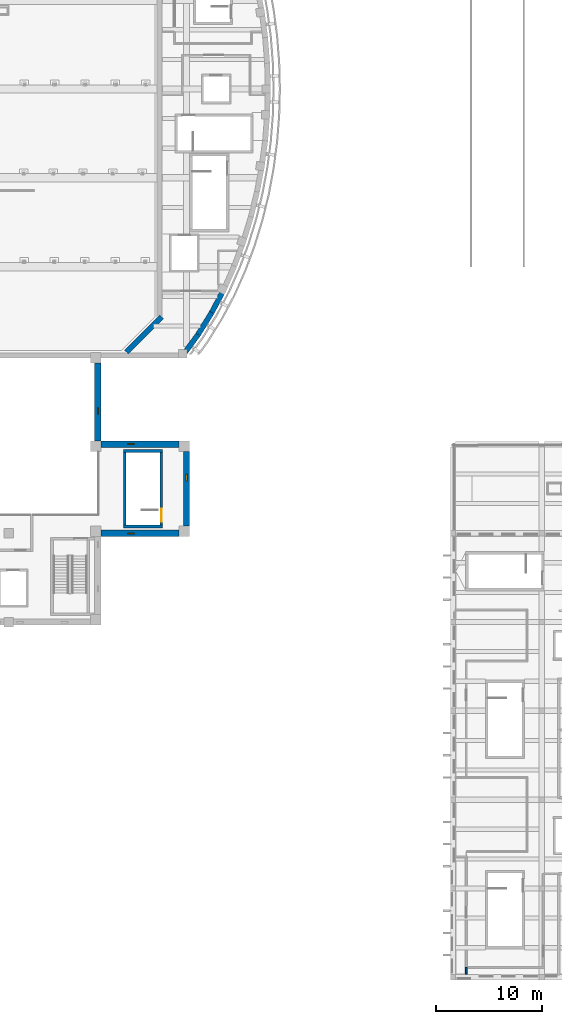
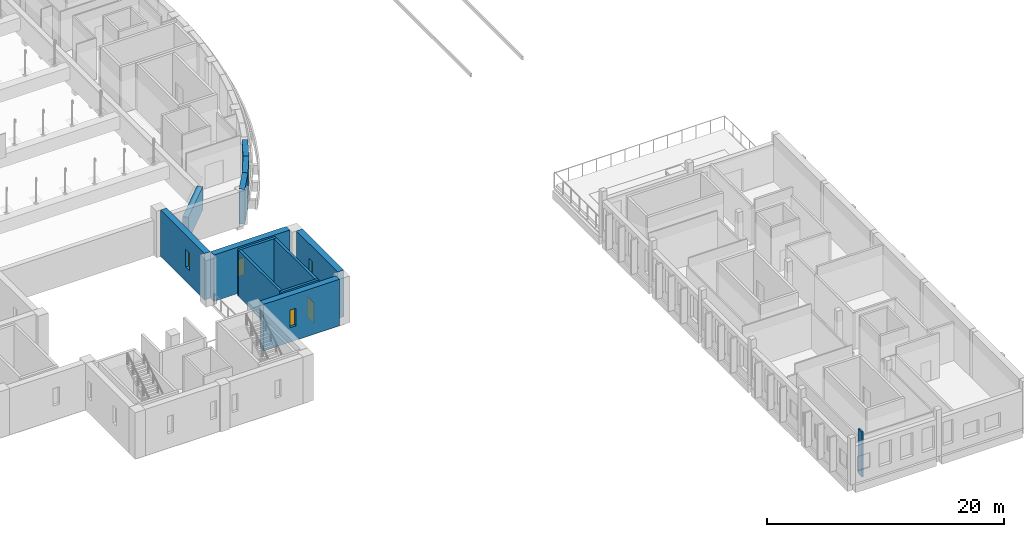
# One storey, part 25 of 47: 13 walls, 4 windows, 1 door, 5 openings.
"""IFC4 building model written with IfcOpenShell, lengths in metres."""

from ifc_helpers import new_model, si_unit, direction, frame, frame_2d, origin, place, context, subcontext, project, spatial, rectangle, extrude, material, layer, layer_set, type_object, element, fill, save


model = new_model("IFC4")

# Units and contexts
model_context = context("Model", 3, precision=1e-05, world=origin(), true_north=direction((0.0, 1.0)))
body_context = subcontext(model_context, "Body", "Model", "MODEL_VIEW")
ifc_project = project(units=[si_unit("LENGTHUNIT", "METRE"), si_unit("AREAUNIT", "SQUARE_METRE"), si_unit("VOLUMEUNIT", "CUBIC_METRE"), si_unit("PLANEANGLEUNIT", "RADIAN"), si_unit("MASSUNIT", "GRAM", prefix="KILO")], contexts=[model_context])

# Site, building, storey
site_placement = place(None, origin())
site = spatial("IfcSite", under=ifc_project, at=site_placement, CompositionType="ELEMENT")
building_placement = place(site_placement, origin())
building = spatial("IfcBuilding", under=site, at=building_placement, Name="Larchfold Concert Hall", CompositionType="ELEMENT")
storey_placement = place(building_placement, frame((0.0, 0.0, 24.0)))
storey = spatial("IfcBuildingStorey", under=building, at=storey_placement, Name="L05", CompositionType="ELEMENT", Elevation=24.0)

# Walls
ifc_material_1 = material(Name="Plasterboard partition on steel studs", Category="steel")
ifc_layer_1 = layer(ifc_material_1, 0.14990234375)
ifc_layer_set_1 = layer_set([ifc_layer_1], Name="Plasterboard partition on steel studs")
wall_type_1 = type_object("IfcWallType", Name="Shaft and plant partition 150 EI 120", PredefinedType="PARTITIONING", material=ifc_layer_set_1)
wall_1_placement = place(storey_placement, frame((85.85009765625, 1.541015625, 0.0), z_axis=(0.0, 0.0, 1.0), x_axis=(0.0, -1.0, 0.0)))
element("IfcWall", 1, at=wall_1_placement, inside=storey, type_object=wall_type_1, Name="Partition IW0043", PredefinedType="PARTITIONING", context=body_context, shape_type="SweptSolid", body=[
    extrude(rectangle(XDim=0.64111328125, YDim=0.14990234375, at=frame_2d((0.320556640625, 0.0))), origin(), (0.0, 0.0, 1.0), 4.639892578125),
])
ifc_material_2 = material(Name="Concrete C40/50", Category="concrete")
ifc_layer_2 = layer(ifc_material_2, 0.25)
ifc_layer_set_2 = layer_set([ifc_layer_2], Name="Concrete C40/50")
wall_type_2 = type_object("IfcWallType", Name="Wall RC 250 stair core", PredefinedType="SOLIDWALL", material=ifc_layer_set_2)
for number, where, z_axis, x_axis, name in (
    (2, (53.449951171875, 43.22509765625, 0.0), (0.0, 0.0, 1.0), (1.0, 0.0, 0.0), "Wall W0061"),
    (3, (53.449951171875, 50.375, 0.0), (0.0, 0.0, 1.0), (1.0, 0.0, 0.0), "Wall W0062"),
):
    element("IfcWall", number, at=place(storey_placement, frame(where, z_axis=z_axis, x_axis=x_axis)), inside=storey, type_object=wall_type_2, Name=name, PredefinedType="SOLIDWALL", context=body_context, shape_type="SweptSolid", body=[
        extrude(rectangle(XDim=3.699951171875, YDim=0.25, at=frame_2d((1.85009765625, 0.0))), origin(), (0.0, 0.0, 1.0), 4.800048828125),
    ])
wall_2_placement = place(storey_placement, frame((53.574951171875, 43.35009765625, 0.0), z_axis=(0.0, 0.0, 1.0), x_axis=(0.0, 1.0, 0.0)))
element("IfcWall", 4, at=wall_2_placement, inside=storey, type_object=wall_type_2, Name="Wall W0063", PredefinedType="SOLIDWALL", context=body_context, shape_type="SweptSolid", body=[
    extrude(rectangle(XDim=6.89990234375, YDim=0.25, at=frame_2d((3.449951171875, 0.0))), origin(), (0.0, 0.0, 1.0), 4.800048828125),
])

# Wall, opening, door
wall_3_placement = place(storey_placement, frame((57.02490234375, 43.35009765625, 0.0), z_axis=(0.0, 0.0, 1.0), x_axis=(0.0, 1.0, 0.0)))
wall_3 = element("IfcWall", 5, at=wall_3_placement, inside=storey, type_object=wall_type_2, Name="Wall W0064", PredefinedType="SOLIDWALL", context=body_context, shape_type="SweptSolid", body=[
    extrude(rectangle(XDim=6.89990234375, YDim=0.25, at=frame_2d((3.449951171875, 0.0))), origin(), (0.0, 0.0, 1.0), 4.800048828125),
])
opening_1_placement = place(wall_3_placement, frame((0.35009765625, 0.0, 0.0)))
opening_1 = element("IfcOpeningElement", 6, at=opening_1_placement, cuts=wall_3, Name="Opening D-L05-126", PredefinedType="OPENING", context=body_context, shape_type="SweptSolid", body=[
    extrude(rectangle(XDim=1.199951171875, YDim=2.10009765625, at=frame_2d((0.60009765625, 1.050048828125))), frame((0.0, 0.135009765625, 0.0), z_axis=(0.0, -1.0, 0.0), x_axis=(1.0, 0.0, 0.0)), (0.0, 0.0, 1.0), 0.27001953125),
])
ifc_material_3 = material(Name="Timber door leaf", Category="wood")
door_type = type_object("IfcDoorType", Name="Stair enclosure door pair 1200 x 2100 FD60", OperationType="SINGLE_SWING_LEFT", PredefinedType="DOOR", material=ifc_material_3)
door_placement = place(opening_1_placement, origin())
door = element("IfcDoor", 7, at=door_placement, inside=storey, type_object=door_type, Name="Door D-L05-126", OperationType="DOUBLE_DOOR_SINGLE_SWING", OverallHeight=2.10009765625, OverallWidth=1.199951171875, PredefinedType="DOOR", context=body_context, shape_type="SweptSolid", body=[
    extrude(rectangle(XDim=1.199951171875, YDim=2.10009765625, at=frame_2d((0.60009765625, 1.050048828125))), frame((0.0, 0.02490234375, 0.0), z_axis=(0.0, -1.0, 0.0), x_axis=(1.0, 0.0, 0.0)), (0.0, 0.0, 1.0), 0.050048828125),
])
fill(opening_1, door)

# Walls
ifc_material_4 = material(Name="Concrete C30/37", Category="concrete")
ifc_layer_3 = layer(ifc_material_4, 0.5)
ifc_layer_set_3 = layer_set([ifc_layer_3], Name="Concrete C30/37")
wall_type_3 = type_object("IfcWallType", Name="Wall RC 500 drum facade", PredefinedType="SOLIDWALL", material=ifc_layer_set_3)
wall_4_placement = place(storey_placement, frame((59.047119140625, 59.39990234375, 0.0), z_axis=(0.0, 0.0, 1.0), x_axis=(0.590771306399, 0.806839056774, 0.0)))
element("IfcWall", 8, at=wall_4_placement, inside=storey, type_object=wall_type_3, Name="Wall DW051", PredefinedType="SOLIDWALL", context=body_context, shape_type="SweptSolid", body=[
    extrude(rectangle(XDim=2.448486328125, YDim=0.5, at=frame_2d((1.22412109375, 0.0))), origin(), (0.0, 0.0, 1.0), 3.60009765625),
])
wall_5_placement = place(storey_placement, frame((60.49365234375, 61.37548828125, 0.0), z_axis=(0.0, 0.0, 1.0), x_axis=(0.527702820527, 0.849429063082, 0.0)))
element("IfcWall", 9, at=wall_5_placement, inside=storey, type_object=wall_type_3, Name="Wall DW052", PredefinedType="SOLIDWALL", context=body_context, shape_type="SweptSolid", body=[
    extrude(rectangle(XDim=2.44873046875, YDim=0.5, at=frame_2d((1.224365234375, 0.0))), origin(), (0.0, 0.0, 1.0), 3.60009765625),
])
wall_6_placement = place(storey_placement, frame((61.785888671875, 63.45556640625, 0.0), z_axis=(0.0, 0.0, 1.0), x_axis=(0.466448872517, 0.884548161112, 0.0)))
element("IfcWall", 10, at=wall_6_placement, inside=storey, type_object=wall_type_3, Name="Wall DW053", PredefinedType="SOLIDWALL", context=body_context, shape_type="SweptSolid", body=[
    extrude(rectangle(XDim=2.448974609375, YDim=0.5, at=frame_2d((1.224609375, 0.0))), origin(), (0.0, 0.0, 1.0), 3.60009765625),
])
ifc_material_5 = material(Name="Concrete C40/50", Category="concrete")
ifc_layer_4 = layer(ifc_material_5, 0.5)
ifc_layer_set_4 = layer_set([ifc_layer_4], Name="Concrete C40/50")
wall_type_4 = type_object("IfcWallType", Name="Wall RC 500 hall shell", PredefinedType="SOLIDWALL", material=ifc_layer_set_4)
wall_7_placement = place(storey_placement, frame((53.722900390625, 59.72265625, 0.0), z_axis=(0.0, 0.0, 1.0), x_axis=(0.707106781187, 0.707106781187, 0.0)))
element("IfcWall", 11, at=wall_7_placement, inside=storey, type_object=wall_type_4, Name="Wall W0001", PredefinedType="SOLIDWALL", context=body_context, shape_type="SweptSolid", body=[
    extrude(rectangle(XDim=4.720947265625, YDim=0.5, at=frame_2d((2.3603515625, 0.0))), origin(), (0.0, 0.0, 1.0), 2.39990234375),
])

# Wall, opening, window
ifc_material_6 = material(Name="Concrete C40/50", Category="concrete")
ifc_layer_5 = layer(ifc_material_6, 0.60009765625)
ifc_layer_set_5 = layer_set([ifc_layer_5], Name="Concrete C40/50")
wall_type_5 = type_object("IfcWallType", Name="Wall RC 600 stage house", PredefinedType="SOLIDWALL", material=ifc_layer_set_5)
wall_8_placement = place(storey_placement, frame((51.300048828125, 42.60009765625, 0.0), z_axis=(0.0, 0.0, 1.0), x_axis=(1.0, 0.0, 0.0)))
wall_8 = element("IfcWall", 12, at=wall_8_placement, inside=storey, type_object=wall_type_5, Name="Wall W0008", PredefinedType="SOLIDWALL", context=body_context, shape_type="SweptSolid", body=[
    extrude(rectangle(XDim=7.39990234375, YDim=0.60009765625, at=frame_2d((3.699951171875, 0.0))), origin(), (0.0, 0.0, 1.0), 4.800048828125),
])
opening_2_placement = place(wall_8_placement, frame((2.550048828125, 0.0, 1.5)))
opening_2 = element("IfcOpeningElement", 13, at=opening_2_placement, cuts=wall_8, Name="Opening WN-L05-001", PredefinedType="OPENING", context=body_context, shape_type="SweptSolid", body=[
    extrude(rectangle(XDim=0.60009765625, YDim=1.800048828125, at=frame_2d((0.300048828125, 0.89990234375))), frame((0.0, 0.31005859375, 0.0), z_axis=(0.0, -1.0, 0.0), x_axis=(1.0, 0.0, 0.0)), (0.0, 0.0, 1.0), 0.6201171875),
])
ifc_material_7 = material(Name="Anodised graphite aluminium frame with glass", Category="aluminium")
window_type = type_object("IfcWindowType", Name="Gallery slit window 600x1800", PartitioningType="SINGLE_PANEL", PredefinedType="WINDOW", material=ifc_material_7)
window_1_placement = place(opening_2_placement, origin())
window_1 = element("IfcWindow", 14, at=window_1_placement, inside=storey, type_object=window_type, Name="Window WN-L05-001", OverallHeight=1.800048828125, OverallWidth=0.60009765625, PartitioningType="SINGLE_PANEL", PredefinedType="WINDOW", context=body_context, shape_type="SweptSolid", body=[
    extrude(rectangle(XDim=0.60009765625, YDim=1.800048828125, at=frame_2d((0.300048828125, 0.89990234375))), frame((0.0, 0.010009765625, 0.0), z_axis=(0.0, -1.0, 0.0), x_axis=(1.0, 0.0, 0.0)), (0.0, 0.0, 1.0), 0.06005859375),
])
fill(opening_2, window_1)

wall_9_placement = place(storey_placement, frame((59.39990234375, 43.300048828125, 0.0), z_axis=(0.0, 0.0, 1.0), x_axis=(0.0, 1.0, 0.0)))
wall_9 = element("IfcWall", 15, at=wall_9_placement, inside=storey, type_object=wall_type_5, Name="Wall W0009", PredefinedType="SOLIDWALL", context=body_context, shape_type="SweptSolid", body=[
    extrude(rectangle(XDim=7.0, YDim=0.60009765625, at=frame_2d((3.5, 0.0))), origin(), (0.0, 0.0, 1.0), 4.800048828125),
])
opening_3_placement = place(wall_9_placement, frame((4.25, 0.0, 1.5)))
opening_3 = element("IfcOpeningElement", 16, at=opening_3_placement, cuts=wall_9, Name="Opening WN-L05-002", PredefinedType="OPENING", context=body_context, shape_type="SweptSolid", body=[
    extrude(rectangle(XDim=0.60009765625, YDim=1.800048828125, at=frame_2d((0.300048828125, 0.89990234375))), frame((0.0, 0.31005859375, 0.0), z_axis=(0.0, -1.0, 0.0), x_axis=(1.0, 0.0, 0.0)), (0.0, 0.0, 1.0), 0.6201171875),
])
window_2_placement = place(opening_3_placement, origin())
window_2 = element("IfcWindow", 17, at=window_2_placement, inside=storey, type_object=window_type, Name="Window WN-L05-002", OverallHeight=1.800048828125, OverallWidth=0.60009765625, PartitioningType="SINGLE_PANEL", PredefinedType="WINDOW", context=body_context, shape_type="SweptSolid", body=[
    extrude(rectangle(XDim=0.60009765625, YDim=1.800048828125, at=frame_2d((0.300048828125, 0.89990234375))), frame((0.0, 0.010009765625, 0.0), z_axis=(0.0, -1.0, 0.0), x_axis=(1.0, 0.0, 0.0)), (0.0, 0.0, 1.0), 0.06005859375),
])
fill(opening_3, window_2)

wall_10_placement = place(storey_placement, frame((58.699951171875, 51.0, 0.0), z_axis=(0.0, 0.0, 1.0), x_axis=(-1.0, 0.0, 0.0)))
wall_10 = element("IfcWall", 18, at=wall_10_placement, inside=storey, type_object=wall_type_5, Name="Wall W0010", PredefinedType="SOLIDWALL", context=body_context, shape_type="SweptSolid", body=[
    extrude(rectangle(XDim=7.39990234375, YDim=0.60009765625, at=frame_2d((3.699951171875, 0.0))), origin(), (0.0, 0.0, 1.0), 4.800048828125),
])
opening_4_placement = place(wall_10_placement, frame((4.25, 0.0, 1.5)))
opening_4 = element("IfcOpeningElement", 19, at=opening_4_placement, cuts=wall_10, Name="Opening WN-L05-003", PredefinedType="OPENING", context=body_context, shape_type="SweptSolid", body=[
    extrude(rectangle(XDim=0.60009765625, YDim=1.800048828125, at=frame_2d((0.300048828125, 0.89990234375))), frame((0.0, 0.31005859375, 0.0), z_axis=(0.0, -1.0, 0.0), x_axis=(1.0, 0.0, 0.0)), (0.0, 0.0, 1.0), 0.6201171875),
])
window_3_placement = place(opening_4_placement, origin())
window_3 = element("IfcWindow", 20, at=window_3_placement, inside=storey, type_object=window_type, Name="Window WN-L05-003", OverallHeight=1.800048828125, OverallWidth=0.60009765625, PartitioningType="SINGLE_PANEL", PredefinedType="WINDOW", context=body_context, shape_type="SweptSolid", body=[
    extrude(rectangle(XDim=0.60009765625, YDim=1.800048828125, at=frame_2d((0.300048828125, 0.89990234375))), frame((0.0, 0.010009765625, 0.0), z_axis=(0.0, -1.0, 0.0), x_axis=(1.0, 0.0, 0.0)), (0.0, 0.0, 1.0), 0.06005859375),
])
fill(opening_4, window_3)

wall_11_placement = place(storey_placement, frame((51.0, 51.300048828125, 0.0), z_axis=(0.0, 0.0, 1.0), x_axis=(0.0, 1.0, 0.0)))
wall_11 = element("IfcWall", 21, at=wall_11_placement, inside=storey, type_object=wall_type_5, Name="Wall W0011", PredefinedType="SOLIDWALL", context=body_context, shape_type="SweptSolid", body=[
    extrude(rectangle(XDim=7.39990234375, YDim=0.60009765625, at=frame_2d((3.699951171875, 0.0))), origin(), (0.0, 0.0, 1.0), 4.800048828125),
])
opening_5_placement = place(wall_11_placement, frame((2.550048828125, 0.0, 1.5)))
opening_5 = element("IfcOpeningElement", 22, at=opening_5_placement, cuts=wall_11, Name="Opening WN-L05-004", PredefinedType="OPENING", context=body_context, shape_type="SweptSolid", body=[
    extrude(rectangle(XDim=0.60009765625, YDim=1.800048828125, at=frame_2d((0.300048828125, 0.89990234375))), frame((0.0, 0.31005859375, 0.0), z_axis=(0.0, -1.0, 0.0), x_axis=(1.0, 0.0, 0.0)), (0.0, 0.0, 1.0), 0.6201171875),
])
window_4_placement = place(opening_5_placement, origin())
window_4 = element("IfcWindow", 23, at=window_4_placement, inside=storey, type_object=window_type, Name="Window WN-L05-004", OverallHeight=1.800048828125, OverallWidth=0.60009765625, PartitioningType="SINGLE_PANEL", PredefinedType="WINDOW", context=body_context, shape_type="SweptSolid", body=[
    extrude(rectangle(XDim=0.60009765625, YDim=1.800048828125, at=frame_2d((0.300048828125, 0.89990234375))), frame((0.0, 0.010009765625, 0.0), z_axis=(0.0, -1.0, 0.0), x_axis=(1.0, 0.0, 0.0)), (0.0, 0.0, 1.0), 0.06005859375),
])
fill(opening_5, window_4)

save(model, "model.ifc")
